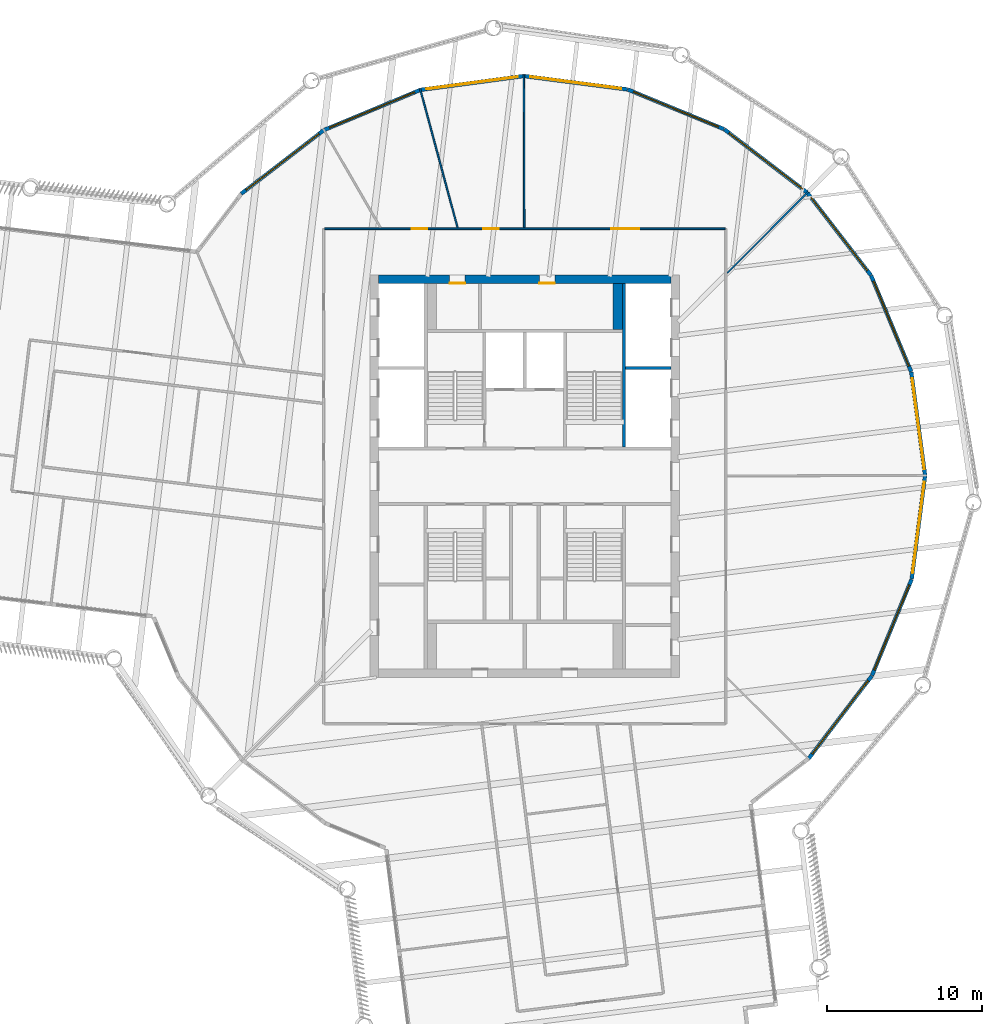
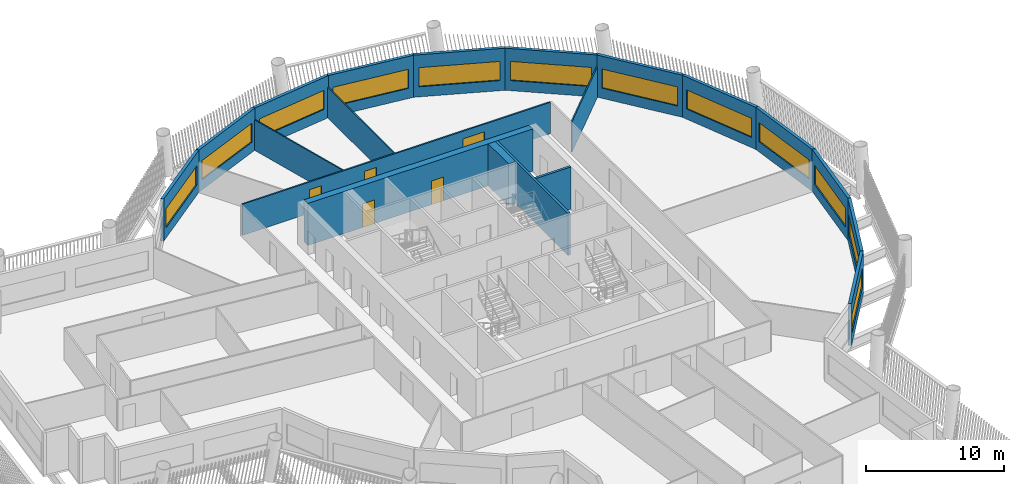
# One storey, part 6 of 14: 20 walls, 12 windows, 5 doors, 17 openings.
"""IFC4 building model written with IfcOpenShell, lengths in metres."""

import ifcopenshell
import ifcopenshell.guid

model = None  # the IFC model being written
_history = None  # IfcOwnerHistory: only IFC2X3 demands one
_inside = {}  # id of a spatial element -> (the spatial element, [elements in it])
_under = {}  # id of a project, library or spatial element -> (it, [spatial elements below it])
_declared = {}  # id of a project -> (the project, [libraries it declares])
_typed = {}  # id of a type object -> (the type object, [elements of that type])
_made_of = {}  # id of a material, layer set ... -> (it, [elements and type objects made of it])


def new_model(schema):
    """Start an empty IFC model of exactly this schema.

    Asked for "IFC4X3", IfcOpenShell would pick the latest addendum, in which some entities
    have other attributes; the version numbers below select the first issue.
    IFC2X3 requires an IfcOwnerHistory on every rooted entity: one is made here for all.
    """
    global model, _history
    if schema == "IFC4X3":
        model = ifcopenshell.file(schema_version=(4, 3, 0, 0))
    else:
        model = ifcopenshell.file(schema=schema)
    _inside.clear()
    _under.clear()
    _declared.clear()
    _typed.clear()
    _made_of.clear()
    _history = None
    if model.schema == "IFC2X3":
        org = make("IfcOrganization", Name="unknown")
        user = make(
            "IfcPersonAndOrganization",
            ThePerson=make("IfcPerson", FamilyName="unknown"),
            TheOrganization=org,
        )
        app = make(
            "IfcApplication",
            ApplicationDeveloper=org,
            Version="unknown",
            ApplicationFullName="unknown",
            ApplicationIdentifier="unknown",
        )
        _history = make(
            "IfcOwnerHistory",
            OwningUser=user,
            OwningApplication=app,
            ChangeAction="ADDED",
            CreationDate=0,
        )
    return model


def make(cls, **values):
    """One entity of the class cls with the attributes given. An attribute that is None is left unset."""
    return model.create_entity(
        cls, **{name: value for name, value in values.items() if value is not None}
    )


def rooted(cls, **values):
    """An entity with a GlobalId (a new one), such as an element, a storey or a relation."""
    return make(cls, GlobalId=ifcopenshell.guid.new(), OwnerHistory=_history, **values)


def si_unit(unit_type, name, prefix=None):
    """IfcSIUnit, for example si_unit("LENGTHUNIT", "METRE", prefix="MILLI")."""
    return make("IfcSIUnit", UnitType=unit_type, Prefix=prefix, Name=name)


def assignment(units):
    """IfcUnitAssignment: the units of a project."""
    return None if units is None else make("IfcUnitAssignment", Units=units)


def point(xyz):
    """IfcCartesianPoint."""
    return None if xyz is None else make("IfcCartesianPoint", Coordinates=xyz)


def direction(xyz):
    """IfcDirection."""
    return None if xyz is None else make("IfcDirection", DirectionRatios=xyz)


def frame(location, z_axis=None, x_axis=None):
    """IfcAxis2Placement3D, a coordinate frame: its origin and axes. An axis left out is left unset."""
    return make(
        "IfcAxis2Placement3D",
        Location=point(location),
        Axis=direction(z_axis),
        RefDirection=direction(x_axis),
    )


def frame_2d(location, x_axis=None):
    """IfcAxis2Placement2D, a coordinate frame in the plane: its origin and x axis."""
    return make(
        "IfcAxis2Placement2D", Location=point(location), RefDirection=direction(x_axis)
    )


def origin():
    """The frame at (0, 0, 0) with its axes left unset."""
    return frame((0.0, 0.0, 0.0))


def place(relative_to, where):
    """IfcLocalPlacement: puts the frame where relative to a parent placement (None: the world)."""
    return make(
        "IfcLocalPlacement", PlacementRelTo=relative_to, RelativePlacement=where
    )


def context(
    kind, dimensions, precision=None, world=None, true_north=None, identifier=None
):
    """IfcGeometricRepresentationContext, for example the 3D "Model" context."""
    return make(
        "IfcGeometricRepresentationContext",
        ContextIdentifier=identifier,
        ContextType=kind,
        CoordinateSpaceDimension=dimensions,
        Precision=precision,
        WorldCoordinateSystem=world,
        TrueNorth=true_north,
    )


def subcontext(parent, identifier, kind, view, scale=None):
    """IfcGeometricRepresentationSubContext, for example "Body" below "Model"."""
    return make(
        "IfcGeometricRepresentationSubContext",
        ContextIdentifier=identifier,
        ContextType=kind,
        ParentContext=parent,
        TargetScale=scale,
        TargetView=view,
    )


def project(units=None, contexts=None):
    """IfcProject with its units and contexts."""
    return rooted(
        "IfcProject",
        Name="project",
        RepresentationContexts=contexts,
        UnitsInContext=assignment(units),
    )


def spatial(cls, under=None, at=None, **own):
    """A site, building, storey or space (cls), placed at a placement, below another one or the project."""
    s = rooted(cls, ObjectPlacement=at, **own)
    if under is not None:
        _under.setdefault(under.id(), (under, []))[1].append(s)
    return s


def profile(cls, at=None, kind="AREA", **sizes):
    """A parametric profile (cls). Its sizes go by their IFC names, for example OverallWidth=200.0."""
    return make(cls, ProfileType=kind, Position=at, **sizes)


def rectangle(**sizes):
    """IfcRectangleProfileDef."""
    return profile("IfcRectangleProfileDef", **sizes)


def extrude(swept, where, along, depth):
    """IfcExtrudedAreaSolid: the profile swept, set in the frame where, extruded along a direction by depth."""
    return make(
        "IfcExtrudedAreaSolid",
        SweptArea=swept,
        Position=where,
        ExtrudedDirection=direction(along),
        Depth=depth,
    )


def shape(context_of_items, identifier, shape_type, items):
    """IfcShapeRepresentation: the items that make up one representation, for example the "Body"."""
    return make(
        "IfcShapeRepresentation",
        ContextOfItems=context_of_items,
        RepresentationIdentifier=identifier,
        RepresentationType=shape_type,
        Items=items,
    )


def material(Name=None, Category=None):
    """IfcMaterial."""
    return make("IfcMaterial", Name=Name, Category=Category)


def layer(
    of_material, thickness, ventilated=None, Name=None, Category=None, Priority=None
):
    """IfcMaterialLayer: one layer of a wall or slab, of a material (None: an air gap)."""
    return make(
        "IfcMaterialLayer",
        Material=of_material,
        LayerThickness=thickness,
        IsVentilated=ventilated,
        Name=Name,
        Category=Category,
        Priority=Priority,
    )


def layer_set(layers, Name=None):
    """IfcMaterialLayerSet."""
    return make("IfcMaterialLayerSet", MaterialLayers=layers, LayerSetName=Name)


def made_of(thing, what):
    """Note that an element or type object is made of a material, layer set ...; save() writes the relation."""
    if what is not None:
        _made_of.setdefault(what.id(), (what, []))[1].append(thing)
    return thing


def type_object(cls, material=None, **own):
    """A type object (cls), such as IfcWallType, which elements share."""
    return made_of(rooted(cls, **own), material)


def element(
    cls,
    number,
    at=None,
    inside=None,
    cuts=None,
    type_object=None,
    material=None,
    context=None,
    identifier="Body",
    shape_type=None,
    held_by="IfcProductDefinitionShape",
    body=None,
    shapes=None,
    **own,
):
    """One element of the class cls, such as IfcWall. Its Tag is "e" and its number.

    at: its placement. inside: the storey or other place that contains it. cuts: it is an
    opening in that element (IfcRelVoidsElement). A single representation is given by context,
    identifier, shape_type and body (its items); several are given by shapes. held_by: the class
    of the entity that holds the representations. save() writes the other relations.
    """
    e = rooted(cls, Tag="e%d" % number, ObjectPlacement=at, **own)
    if body is not None:
        shapes = [shape(context, identifier, shape_type, body)]
    if shapes is not None:
        e.Representation = make(held_by, Representations=shapes)
    if inside is not None:
        _inside.setdefault(inside.id(), (inside, []))[1].append(e)
    if cuts is not None:
        rooted(
            "IfcRelVoidsElement", RelatingBuildingElement=cuts, RelatedOpeningElement=e
        )
    if type_object is not None:
        _typed.setdefault(type_object.id(), (type_object, []))[1].append(e)
    return made_of(e, material)


def fill(opening, filler):
    """IfcRelFillsElement: the door or window that sits in an opening."""
    return rooted(
        "IfcRelFillsElement",
        RelatingOpeningElement=opening,
        RelatedBuildingElement=filler,
    )


def aggregate(whole, parts):
    """IfcRelAggregates: a whole, such as a stair, and the parts it consists of."""
    return rooted("IfcRelAggregates", RelatingObject=whole, RelatedObjects=parts)


def save(model, path):
    """Write the relations noted so far, then the file.

    IfcRelAggregates (storeys below a building ...), IfcRelContainedInSpatialStructure (elements
    in a storey), IfcRelDefinesByType, IfcRelAssociatesMaterial and IfcRelDeclares: one each for
    every whole, place, type object, material and project.
    """
    for whole, parts in _under.values():
        aggregate(whole, parts)
    for where, things in _inside.values():
        rooted(
            "IfcRelContainedInSpatialStructure",
            RelatedElements=things,
            RelatingStructure=where,
        )
    for kind, things in _typed.values():
        rooted("IfcRelDefinesByType", RelatedObjects=things, RelatingType=kind)
    for what, things in _made_of.values():
        rooted("IfcRelAssociatesMaterial", RelatedObjects=things, RelatingMaterial=what)
    for by, libraries in _declared.values():
        rooted("IfcRelDeclares", RelatingContext=by, RelatedDefinitions=libraries)
    model.write(path)


model = new_model("IFC4")

# Units and contexts
model_context = context("Model", 3, precision=1e-05, world=origin(), true_north=direction((0.0, 1.0)))
body_context = subcontext(model_context, "Body", "Model", "MODEL_VIEW")
ifc_project = project(units=[si_unit("LENGTHUNIT", "METRE"), si_unit("AREAUNIT", "SQUARE_METRE"), si_unit("VOLUMEUNIT", "CUBIC_METRE"), si_unit("PLANEANGLEUNIT", "RADIAN"), si_unit("MASSUNIT", "GRAM", prefix="KILO")], contexts=[model_context])

# Site, building, storey
site_placement = place(None, origin())
site = spatial("IfcSite", under=ifc_project, at=site_placement, CompositionType="ELEMENT")
building_placement = place(site_placement, origin())
building = spatial("IfcBuilding", under=site, at=building_placement, Name="Tarsis Ring Headquarters", CompositionType="ELEMENT")
storey_placement = place(building_placement, frame((0.0, 0.0, 259.10009765625)))
storey = spatial("IfcBuildingStorey", under=building, at=storey_placement, Name="L60", CompositionType="ELEMENT", Elevation=259.10009765625)

# Wall, openings, doors
ifc_material_1 = material(Name="Concrete C50/60", Category="concrete")
ifc_layer_1 = layer(ifc_material_1, 0.550048828125)
ifc_layer_set_1 = layer_set([ifc_layer_1], Name="Core wall 550 C50/60")
wall_type_1 = type_object("IfcWallType", Name="Core wall 550 C50/60", PredefinedType="SHEAR", material=ifc_layer_set_1)
wall_1_placement = place(storey_placement, frame((-9.449951171875, 12.72509765625, 0.0), z_axis=(0.0, 0.0, 1.0), x_axis=(1.0, 0.0, 0.0)))
wall_1 = element("IfcWall", 1, at=wall_1_placement, inside=storey, type_object=wall_type_1, Name="Core wall ON", PredefinedType="SHEAR", context=body_context, shape_type="SweptSolid", body=[
    extrude(rectangle(XDim=18.89990234375, YDim=0.550048828125, at=frame_2d((9.449951171875, 0.0))), origin(), (0.0, 0.0, 1.0), 3.739990234375),
])
opening_1_placement = place(wall_1_placement, frame((4.60009765625, 0.0, 0.0)))
opening_1 = element("IfcOpeningElement", 2, at=opening_1_placement, cuts=wall_1, Name="Opening L60-C16", PredefinedType="OPENING", context=body_context, shape_type="SweptSolid", body=[
    extrude(rectangle(XDim=1.0, YDim=2.10009765625, at=frame_2d((0.5, 1.050048828125))), frame((0.0, 0.284912109375, 0.0), z_axis=(0.0, -1.0, 0.0), x_axis=(1.0, 0.0, 0.0)), (0.0, 0.0, 1.0), 0.570068359375),
])
opening_2_placement = place(wall_1_placement, frame((10.39990234375, 0.0, 0.0)))
opening_2 = element("IfcOpeningElement", 3, at=opening_2_placement, cuts=wall_1, Name="Opening L60-C17", PredefinedType="OPENING", context=body_context, shape_type="SweptSolid", body=[
    extrude(rectangle(XDim=1.0, YDim=2.10009765625, at=frame_2d((0.5, 1.050048828125))), frame((0.0, 0.284912109375, 0.0), z_axis=(0.0, -1.0, 0.0), x_axis=(1.0, 0.0, 0.0)), (0.0, 0.0, 1.0), 0.570068359375),
])
ifc_material_2 = material(Name="Steel S355", Category="steel")
door_type_1 = type_object("IfcDoorType", Name="Core room door 1000x2100", OperationType="SINGLE_SWING_LEFT", PredefinedType="DOOR", material=ifc_material_2)
door_1_placement = place(opening_1_placement, origin())
door_1 = element("IfcDoor", 4, at=door_1_placement, inside=storey, type_object=door_type_1, Name="Core room door L60", OperationType="SINGLE_SWING_LEFT", OverallHeight=2.10009765625, OverallWidth=1.0, PredefinedType="DOOR", context=body_context, shape_type="SweptSolid", body=[
    extrude(rectangle(XDim=1.0, YDim=2.10009765625, at=frame_2d((0.5, 1.050048828125))), frame((0.0, -0.22509765625, 0.0), z_axis=(0.0, -1.0, 0.0), x_axis=(1.0, 0.0, 0.0)), (0.0, 0.0, 1.0), 0.050048828125),
])
fill(opening_1, door_1)
door_2_placement = place(opening_2_placement, origin())
door_2 = element("IfcDoor", 5, at=door_2_placement, inside=storey, type_object=door_type_1, Name="Core room door L60", OperationType="SINGLE_SWING_LEFT", OverallHeight=2.10009765625, OverallWidth=1.0, PredefinedType="DOOR", context=body_context, shape_type="SweptSolid", body=[
    extrude(rectangle(XDim=1.0, YDim=2.10009765625, at=frame_2d((0.5, 1.050048828125))), frame((0.0, -0.22509765625, 0.0), z_axis=(0.0, -1.0, 0.0), x_axis=(1.0, 0.0, 0.0)), (0.0, 0.0, 1.0), 0.050048828125),
])
fill(opening_2, door_2)

# Walls
ifc_material_3 = material(Name="Gypsum board on steel studs", Category="steel")
ifc_layer_2 = layer(ifc_material_3, 0.10009765625)
ifc_layer_set_2 = layer_set([ifc_layer_2], Name="FL partition 100 unrated")
wall_type_2 = type_object("IfcWallType", Name="FL partition 100 unrated", PredefinedType="PARTITIONING", material=ifc_layer_set_2)
wall_2_placement = place(storey_placement, frame((-0.05419921875, 25.94775390625, 0.0), z_axis=(0.0, 0.0, 1.0), x_axis=(0.002076171407, -0.999997844754, 0.0)))
element("IfcWall", 6, at=wall_2_placement, inside=storey, type_object=wall_type_2, Name="Partition PW3", PredefinedType="PARTITIONING", context=body_context, shape_type="SweptSolid", body=[
    extrude(rectangle(XDim=9.877685546875, YDim=0.10009765625, at=frame_2d((4.93896484375, 0.0))), origin(), (0.0, 0.0, 1.0), 2.699951171875),
])
wall_3_placement = place(storey_placement, frame((-6.768310546875, 25.049560546875, 0.0), z_axis=(0.0, 0.0, 1.0), x_axis=(0.26085416852, -0.96537821747, 0.0)))
element("IfcWall", 7, at=wall_3_placement, inside=storey, type_object=wall_type_2, Name="Partition PW3", PredefinedType="PARTITIONING", context=body_context, shape_type="SweptSolid", body=[
    extrude(rectangle(XDim=9.303955078125, YDim=0.10009765625, at=frame_2d((4.65185546875, 0.0))), origin(), (0.0, 0.0, 1.0), 2.699951171875),
])
wall_4_placement = place(storey_placement, frame((13.084716796875, 13.1396484375, 0.0), z_axis=(0.0, 0.0, 1.0), x_axis=(0.705621441005, 0.708589007813, 0.0)))
element("IfcWall", 8, at=wall_4_placement, inside=storey, type_object=wall_type_2, Name="Partition PW3", PredefinedType="PARTITIONING", context=body_context, shape_type="SweptSolid", body=[
    extrude(rectangle(XDim=7.404296875, YDim=0.10009765625, at=frame_2d((3.7021484375, 0.0))), origin(), (0.0, 0.0, 1.0), 2.699951171875),
])

# Wall, openings, doors
ifc_layer_3 = layer(ifc_material_3, 0.125)
ifc_layer_set_3 = layer_set([ifc_layer_3], Name="FL partition 125 EI 60 H2770")
wall_type_3 = type_object("IfcWallType", Name="FL partition 125 EI 60 H2770", PredefinedType="PARTITIONING", material=ifc_layer_set_3)
wall_5_placement = place(storey_placement, frame((-12.93994140625, 16.0, 0.0), z_axis=(0.0, 0.0, 1.0), x_axis=(1.0, 0.0, 0.0)))
wall_5 = element("IfcWall", 9, at=wall_5_placement, inside=storey, type_object=wall_type_3, Name="Partition PW1", PredefinedType="PARTITIONING", context=body_context, shape_type="SweptSolid", body=[
    extrude(rectangle(XDim=25.8798828125, YDim=0.125, at=frame_2d((12.93994140625, 0.0))), origin(), (0.0, 0.0, 1.0), 2.77001953125),
])
opening_3_placement = place(wall_5_placement, frame((5.63720703125, 0.0, 0.0)))
opening_3 = element("IfcOpeningElement", 10, at=opening_3_placement, cuts=wall_5, Name="Opening D60.04", PredefinedType="OPENING", context=body_context, shape_type="SweptSolid", body=[
    extrude(rectangle(XDim=1.0, YDim=2.10009765625, at=frame_2d((0.5, 1.050048828125))), frame((0.0, 0.072509765625, 0.0), z_axis=(0.0, -1.0, 0.0), x_axis=(1.0, 0.0, 0.0)), (0.0, 0.0, 1.0), 0.14501953125),
])
opening_4_placement = place(wall_5_placement, frame((10.26171875, 0.0, 0.0)))
opening_4 = element("IfcOpeningElement", 11, at=opening_4_placement, cuts=wall_5, Name="Opening D60.05", PredefinedType="OPENING", context=body_context, shape_type="SweptSolid", body=[
    extrude(rectangle(XDim=1.0, YDim=2.10009765625, at=frame_2d((0.5, 1.050048828125))), frame((0.0, 0.072509765625, 0.0), z_axis=(0.0, -1.0, 0.0), x_axis=(1.0, 0.0, 0.0)), (0.0, 0.0, 1.0), 0.14501953125),
])
opening_5_placement = place(wall_5_placement, frame((18.523193359375, 0.0, 0.0)))
opening_5 = element("IfcOpeningElement", 12, at=opening_5_placement, cuts=wall_5, Name="Opening D60.06", PredefinedType="OPENING", context=body_context, shape_type="SweptSolid", body=[
    extrude(rectangle(XDim=1.800048828125, YDim=2.10009765625, at=frame_2d((0.89990234375, 1.050048828125))), frame((0.0, 0.072509765625, 0.0), z_axis=(0.0, -1.0, 0.0), x_axis=(1.0, 0.0, 0.0)), (0.0, 0.0, 1.0), 0.14501953125),
])
ifc_material_4 = material(Name="Fire-rated timber door leaf in steel frame", Category="steel")
door_type_2 = type_object("IfcDoorType", Name="FL door FD60-1000", OperationType="NOTDEFINED", PredefinedType="DOOR", material=ifc_material_4)
door_3_placement = place(opening_3_placement, origin())
door_3 = element("IfcDoor", 13, at=door_3_placement, inside=storey, type_object=door_type_2, Name="Door D60.04", OperationType="SINGLE_SWING_RIGHT", OverallHeight=2.10009765625, OverallWidth=1.0, PredefinedType="DOOR", context=body_context, shape_type="SweptSolid", body=[
    extrude(rectangle(XDim=1.0, YDim=2.10009765625, at=frame_2d((0.5, 1.050048828125))), frame((0.0, 0.02490234375, 0.0), z_axis=(0.0, -1.0, 0.0), x_axis=(1.0, 0.0, 0.0)), (0.0, 0.0, 1.0), 0.050048828125),
])
fill(opening_3, door_3)
door_4_placement = place(opening_4_placement, origin())
door_4 = element("IfcDoor", 14, at=door_4_placement, inside=storey, type_object=door_type_2, Name="Door D60.05", OperationType="SINGLE_SWING_LEFT", OverallHeight=2.10009765625, OverallWidth=1.0, PredefinedType="DOOR", context=body_context, shape_type="SweptSolid", body=[
    extrude(rectangle(XDim=1.0, YDim=2.10009765625, at=frame_2d((0.5, 1.050048828125))), frame((0.0, 0.02490234375, 0.0), z_axis=(0.0, -1.0, 0.0), x_axis=(1.0, 0.0, 0.0)), (0.0, 0.0, 1.0), 0.050048828125),
])
fill(opening_4, door_4)
door_type_3 = type_object("IfcDoorType", Name="FL door FD60-1800", OperationType="DOUBLE_DOOR_SINGLE_SWING", PredefinedType="DOOR", material=ifc_material_4)
door_5_placement = place(opening_5_placement, origin())
door_5 = element("IfcDoor", 15, at=door_5_placement, inside=storey, type_object=door_type_3, Name="Door D60.06", OperationType="DOUBLE_DOOR_SINGLE_SWING", OverallHeight=2.10009765625, OverallWidth=1.800048828125, PredefinedType="DOOR", context=body_context, shape_type="SweptSolid", body=[
    extrude(rectangle(XDim=1.800048828125, YDim=2.10009765625, at=frame_2d((0.89990234375, 1.050048828125))), frame((0.0, 0.02490234375, 0.0), z_axis=(0.0, -1.0, 0.0), x_axis=(1.0, 0.0, 0.0)), (0.0, 0.0, 1.0), 0.050048828125),
])
fill(opening_5, door_5)

# Wall, opening, window
ifc_material_5 = material(Name="Terracotta clad insulated panel wall", Category="masonry")
ifc_layer_4 = layer(ifc_material_5, 0.25)
ifc_layer_set_4 = layer_set([ifc_layer_4], Name="Facade wall terracotta panel 250")
wall_type_4 = type_object("IfcWallType", Name="Facade wall terracotta panel 250", PredefinedType="STANDARD", material=ifc_layer_set_4)
wall_6_placement = place(storey_placement, frame((18.343994140625, -18.244140625, 0.0), z_axis=(0.0, 0.0, 1.0), x_axis=(0.60709546579, 0.794628904217, 0.0)))
wall_6 = element("IfcWall", 16, at=wall_6_placement, inside=storey, type_object=wall_type_4, Name="External wall L60-18", PredefinedType="STANDARD", context=body_context, shape_type="SweptSolid", body=[
    extrude(rectangle(XDim=6.721435546875, YDim=0.25, at=frame_2d((3.36083984375, 0.0))), origin(), (0.0, 0.0, 1.0), 3.739990234375),
])
opening_6_placement = place(wall_6_placement, frame((0.3857421875, 0.0, 0.89990234375)))
opening_6 = element("IfcOpeningElement", 17, at=opening_6_placement, cuts=wall_6, Name="Opening WN07", PredefinedType="OPENING", context=body_context, shape_type="SweptSolid", body=[
    extrude(rectangle(XDim=5.949951171875, YDim=1.699951171875, at=frame_2d((2.97509765625, 0.85009765625))), frame((0.0, 0.135009765625, 0.0), z_axis=(0.0, -1.0, 0.0), x_axis=(1.0, 0.0, 0.0)), (0.0, 0.0, 1.0), 0.27001953125),
])
ifc_material_6 = material(Name="Aluminium framed double glazing", Category="aluminium")
window_type = type_object("IfcWindowType", Name="Facade window 5950 x 1700", PartitioningType="SINGLE_PANEL", PredefinedType="WINDOW", material=ifc_material_6)
window_1_placement = place(opening_6_placement, origin())
window_1 = element("IfcWindow", 18, at=window_1_placement, inside=storey, type_object=window_type, Name="Window L60-18.1", OverallHeight=1.699951171875, OverallWidth=5.949951171875, PartitioningType="SINGLE_PANEL", PredefinedType="WINDOW", context=body_context, shape_type="SweptSolid", body=[
    extrude(rectangle(XDim=5.949951171875, YDim=1.699951171875, at=frame_2d((2.97509765625, 0.85009765625))), frame((0.0, 0.030029296875, 0.0), z_axis=(0.0, -1.0, 0.0), x_axis=(1.0, 0.0, 0.0)), (0.0, 0.0, 1.0), 0.06005859375),
])
fill(opening_6, window_1)

wall_7_placement = place(storey_placement, frame((22.440673828125, -12.874755859375, 0.0), z_axis=(0.0, 0.0, 1.0), x_axis=(0.380758939356, 0.924674337321, 0.0)))
wall_7 = element("IfcWall", 19, at=wall_7_placement, inside=storey, type_object=wall_type_4, Name="External wall L60-19", PredefinedType="STANDARD", context=body_context, shape_type="SweptSolid", body=[
    extrude(rectangle(XDim=6.7216796875, YDim=0.25, at=frame_2d((3.36083984375, 0.0))), origin(), (0.0, 0.0, 1.0), 3.739990234375),
])
opening_7_placement = place(wall_7_placement, frame((0.3857421875, 0.0, 0.89990234375)))
opening_7 = element("IfcOpeningElement", 20, at=opening_7_placement, cuts=wall_7, Name="Opening WN07", PredefinedType="OPENING", context=body_context, shape_type="SweptSolid", body=[
    extrude(rectangle(XDim=5.949951171875, YDim=1.699951171875, at=frame_2d((2.97509765625, 0.85009765625))), frame((0.0, 0.135009765625, 0.0), z_axis=(0.0, -1.0, 0.0), x_axis=(1.0, 0.0, 0.0)), (0.0, 0.0, 1.0), 0.27001953125),
])
window_2_placement = place(opening_7_placement, origin())
window_2 = element("IfcWindow", 21, at=window_2_placement, inside=storey, type_object=window_type, Name="Window L60-19.1", OverallHeight=1.699951171875, OverallWidth=5.949951171875, PartitioningType="SINGLE_PANEL", PredefinedType="WINDOW", context=body_context, shape_type="SweptSolid", body=[
    extrude(rectangle(XDim=5.949951171875, YDim=1.699951171875, at=frame_2d((2.97509765625, 0.85009765625))), frame((0.0, 0.030029296875, 0.0), z_axis=(0.0, -1.0, 0.0), x_axis=(1.0, 0.0, 0.0)), (0.0, 0.0, 1.0), 0.06005859375),
])
fill(opening_7, window_2)

wall_8_placement = place(storey_placement, frame((25.00830078125, -6.6279296875, 0.0), z_axis=(0.0, 0.0, 1.0), x_axis=(0.128472660922, 0.991713050935, 0.0)))
wall_8 = element("IfcWall", 22, at=wall_8_placement, inside=storey, type_object=wall_type_4, Name="External wall L60-20", PredefinedType="STANDARD", context=body_context, shape_type="SweptSolid", body=[
    extrude(rectangle(XDim=6.721435546875, YDim=0.25, at=frame_2d((3.36083984375, 0.0))), origin(), (0.0, 0.0, 1.0), 3.739990234375),
])
opening_8_placement = place(wall_8_placement, frame((0.3857421875, 0.0, 0.89990234375)))
opening_8 = element("IfcOpeningElement", 23, at=opening_8_placement, cuts=wall_8, Name="Opening WN07", PredefinedType="OPENING", context=body_context, shape_type="SweptSolid", body=[
    extrude(rectangle(XDim=5.949951171875, YDim=1.699951171875, at=frame_2d((2.97509765625, 0.85009765625))), frame((0.0, 0.135009765625, 0.0), z_axis=(0.0, -1.0, 0.0), x_axis=(1.0, 0.0, 0.0)), (0.0, 0.0, 1.0), 0.27001953125),
])
window_3_placement = place(opening_8_placement, origin())
window_3 = element("IfcWindow", 24, at=window_3_placement, inside=storey, type_object=window_type, Name="Window L60-20.1", OverallHeight=1.699951171875, OverallWidth=5.949951171875, PartitioningType="SINGLE_PANEL", PredefinedType="WINDOW", context=body_context, shape_type="SweptSolid", body=[
    extrude(rectangle(XDim=5.949951171875, YDim=1.699951171875, at=frame_2d((2.97509765625, 0.85009765625))), frame((0.0, 0.030029296875, 0.0), z_axis=(0.0, -1.0, 0.0), x_axis=(1.0, 0.0, 0.0)), (0.0, 0.0, 1.0), 0.06005859375),
])
fill(opening_8, window_3)

wall_9_placement = place(storey_placement, frame((25.87158203125, 0.070556640625, 0.0), z_axis=(0.0, 0.0, 1.0), x_axis=(-0.132577691666, 0.991172616486, 0.0)))
wall_9 = element("IfcWall", 25, at=wall_9_placement, inside=storey, type_object=wall_type_4, Name="External wall L60-21", PredefinedType="STANDARD", context=body_context, shape_type="SweptSolid", body=[
    extrude(rectangle(XDim=6.721435546875, YDim=0.25, at=frame_2d((3.36083984375, 0.0))), origin(), (0.0, 0.0, 1.0), 3.739990234375),
])
opening_9_placement = place(wall_9_placement, frame((0.3857421875, 0.0, 0.89990234375)))
opening_9 = element("IfcOpeningElement", 26, at=opening_9_placement, cuts=wall_9, Name="Opening WN07", PredefinedType="OPENING", context=body_context, shape_type="SweptSolid", body=[
    extrude(rectangle(XDim=5.949951171875, YDim=1.699951171875, at=frame_2d((2.97509765625, 0.85009765625))), frame((0.0, 0.135009765625, 0.0), z_axis=(0.0, -1.0, 0.0), x_axis=(1.0, 0.0, 0.0)), (0.0, 0.0, 1.0), 0.27001953125),
])
window_4_placement = place(opening_9_placement, origin())
window_4 = element("IfcWindow", 27, at=window_4_placement, inside=storey, type_object=window_type, Name="Window L60-21.1", OverallHeight=1.699951171875, OverallWidth=5.949951171875, PartitioningType="SINGLE_PANEL", PredefinedType="WINDOW", context=body_context, shape_type="SweptSolid", body=[
    extrude(rectangle(XDim=5.949951171875, YDim=1.699951171875, at=frame_2d((2.97509765625, 0.85009765625))), frame((0.0, 0.030029296875, 0.0), z_axis=(0.0, -1.0, 0.0), x_axis=(1.0, 0.0, 0.0)), (0.0, 0.0, 1.0), 0.06005859375),
])
fill(opening_9, window_4)

wall_10_placement = place(storey_placement, frame((24.971923828125, 6.76416015625, 0.0), z_axis=(0.0, 0.0, 1.0), x_axis=(-0.384610226502, 0.923079072274, 0.0)))
wall_10 = element("IfcWall", 28, at=wall_10_placement, inside=storey, type_object=wall_type_4, Name="External wall L60-22", PredefinedType="STANDARD", context=body_context, shape_type="SweptSolid", body=[
    extrude(rectangle(XDim=6.7216796875, YDim=0.25, at=frame_2d((3.36083984375, 0.0))), origin(), (0.0, 0.0, 1.0), 3.739990234375),
])
opening_10_placement = place(wall_10_placement, frame((0.3857421875, 0.0, 0.89990234375)))
opening_10 = element("IfcOpeningElement", 29, at=opening_10_placement, cuts=wall_10, Name="Opening WN07", PredefinedType="OPENING", context=body_context, shape_type="SweptSolid", body=[
    extrude(rectangle(XDim=5.949951171875, YDim=1.699951171875, at=frame_2d((2.97509765625, 0.85009765625))), frame((0.0, 0.135009765625, 0.0), z_axis=(0.0, -1.0, 0.0), x_axis=(1.0, 0.0, 0.0)), (0.0, 0.0, 1.0), 0.27001953125),
])
window_5_placement = place(opening_10_placement, origin())
window_5 = element("IfcWindow", 30, at=window_5_placement, inside=storey, type_object=window_type, Name="Window L60-22.1", OverallHeight=1.699951171875, OverallWidth=5.949951171875, PartitioningType="SINGLE_PANEL", PredefinedType="WINDOW", context=body_context, shape_type="SweptSolid", body=[
    extrude(rectangle(XDim=5.949951171875, YDim=1.699951171875, at=frame_2d((2.97509765625, 0.85009765625))), frame((0.0, 0.030029296875, 0.0), z_axis=(0.0, -1.0, 0.0), x_axis=(1.0, 0.0, 0.0)), (0.0, 0.0, 1.0), 0.06005859375),
])
fill(opening_10, window_5)

wall_11_placement = place(storey_placement, frame((22.370361328125, 12.996826171875, 0.0), z_axis=(0.0, 0.0, 1.0), x_axis=(-0.610426688997, 0.792072760143, 0.0)))
wall_11 = element("IfcWall", 31, at=wall_11_placement, inside=storey, type_object=wall_type_4, Name="External wall L60-23", PredefinedType="STANDARD", context=body_context, shape_type="SweptSolid", body=[
    extrude(rectangle(XDim=6.7216796875, YDim=0.25, at=frame_2d((3.36083984375, 0.0))), origin(), (0.0, 0.0, 1.0), 3.739990234375),
])
opening_11_placement = place(wall_11_placement, frame((0.3857421875, 0.0, 0.89990234375)))
opening_11 = element("IfcOpeningElement", 32, at=opening_11_placement, cuts=wall_11, Name="Opening WN07", PredefinedType="OPENING", context=body_context, shape_type="SweptSolid", body=[
    extrude(rectangle(XDim=5.949951171875, YDim=1.699951171875, at=frame_2d((2.97509765625, 0.85009765625))), frame((0.0, 0.135009765625, 0.0), z_axis=(0.0, -1.0, 0.0), x_axis=(1.0, 0.0, 0.0)), (0.0, 0.0, 1.0), 0.27001953125),
])
window_6_placement = place(opening_11_placement, origin())
window_6 = element("IfcWindow", 33, at=window_6_placement, inside=storey, type_object=window_type, Name="Window L60-23.1", OverallHeight=1.699951171875, OverallWidth=5.949951171875, PartitioningType="SINGLE_PANEL", PredefinedType="WINDOW", context=body_context, shape_type="SweptSolid", body=[
    extrude(rectangle(XDim=5.949951171875, YDim=1.699951171875, at=frame_2d((2.97509765625, 0.85009765625))), frame((0.0, 0.030029296875, 0.0), z_axis=(0.0, -1.0, 0.0), x_axis=(1.0, 0.0, 0.0)), (0.0, 0.0, 1.0), 0.06005859375),
])
fill(opening_11, window_6)

wall_12_placement = place(storey_placement, frame((18.244140625, 18.343994140625, 0.0), z_axis=(0.0, 0.0, 1.0), x_axis=(-0.794628904217, 0.60709546579, 0.0)))
wall_12 = element("IfcWall", 34, at=wall_12_placement, inside=storey, type_object=wall_type_4, Name="External wall L60-24", PredefinedType="STANDARD", context=body_context, shape_type="SweptSolid", body=[
    extrude(rectangle(XDim=6.721435546875, YDim=0.25, at=frame_2d((3.36083984375, 0.0))), origin(), (0.0, 0.0, 1.0), 3.739990234375),
])
opening_12_placement = place(wall_12_placement, frame((0.3857421875, 0.0, 0.89990234375)))
opening_12 = element("IfcOpeningElement", 35, at=opening_12_placement, cuts=wall_12, Name="Opening WN07", PredefinedType="OPENING", context=body_context, shape_type="SweptSolid", body=[
    extrude(rectangle(XDim=5.949951171875, YDim=1.699951171875, at=frame_2d((2.97509765625, 0.85009765625))), frame((0.0, 0.135009765625, 0.0), z_axis=(0.0, -1.0, 0.0), x_axis=(1.0, 0.0, 0.0)), (0.0, 0.0, 1.0), 0.27001953125),
])
window_7_placement = place(opening_12_placement, origin())
window_7 = element("IfcWindow", 36, at=window_7_placement, inside=storey, type_object=window_type, Name="Window L60-24.1", OverallHeight=1.699951171875, OverallWidth=5.949951171875, PartitioningType="SINGLE_PANEL", PredefinedType="WINDOW", context=body_context, shape_type="SweptSolid", body=[
    extrude(rectangle(XDim=5.949951171875, YDim=1.699951171875, at=frame_2d((2.97509765625, 0.85009765625))), frame((0.0, 0.030029296875, 0.0), z_axis=(0.0, -1.0, 0.0), x_axis=(1.0, 0.0, 0.0)), (0.0, 0.0, 1.0), 0.06005859375),
])
fill(opening_12, window_7)

wall_13_placement = place(storey_placement, frame((12.874755859375, 22.440673828125, 0.0), z_axis=(0.0, 0.0, 1.0), x_axis=(-0.924674337321, 0.380758939356, 0.0)))
wall_13 = element("IfcWall", 37, at=wall_13_placement, inside=storey, type_object=wall_type_4, Name="External wall L60-25", PredefinedType="STANDARD", context=body_context, shape_type="SweptSolid", body=[
    extrude(rectangle(XDim=6.7216796875, YDim=0.25, at=frame_2d((3.36083984375, 0.0))), origin(), (0.0, 0.0, 1.0), 3.739990234375),
])
opening_13_placement = place(wall_13_placement, frame((0.3857421875, 0.0, 0.89990234375)))
opening_13 = element("IfcOpeningElement", 38, at=opening_13_placement, cuts=wall_13, Name="Opening WN07", PredefinedType="OPENING", context=body_context, shape_type="SweptSolid", body=[
    extrude(rectangle(XDim=5.949951171875, YDim=1.699951171875, at=frame_2d((2.97509765625, 0.85009765625))), frame((0.0, 0.135009765625, 0.0), z_axis=(0.0, -1.0, 0.0), x_axis=(1.0, 0.0, 0.0)), (0.0, 0.0, 1.0), 0.27001953125),
])
window_8_placement = place(opening_13_placement, origin())
window_8 = element("IfcWindow", 39, at=window_8_placement, inside=storey, type_object=window_type, Name="Window L60-25.1", OverallHeight=1.699951171875, OverallWidth=5.949951171875, PartitioningType="SINGLE_PANEL", PredefinedType="WINDOW", context=body_context, shape_type="SweptSolid", body=[
    extrude(rectangle(XDim=5.949951171875, YDim=1.699951171875, at=frame_2d((2.97509765625, 0.85009765625))), frame((0.0, 0.030029296875, 0.0), z_axis=(0.0, -1.0, 0.0), x_axis=(1.0, 0.0, 0.0)), (0.0, 0.0, 1.0), 0.06005859375),
])
fill(opening_13, window_8)

wall_14_placement = place(storey_placement, frame((6.6279296875, 25.00830078125, 0.0), z_axis=(0.0, 0.0, 1.0), x_axis=(-0.991713050935, 0.128472660922, 0.0)))
wall_14 = element("IfcWall", 40, at=wall_14_placement, inside=storey, type_object=wall_type_4, Name="External wall L60-26", PredefinedType="STANDARD", context=body_context, shape_type="SweptSolid", body=[
    extrude(rectangle(XDim=6.721435546875, YDim=0.25, at=frame_2d((3.36083984375, 0.0))), origin(), (0.0, 0.0, 1.0), 3.739990234375),
])
opening_14_placement = place(wall_14_placement, frame((0.3857421875, 0.0, 0.89990234375)))
opening_14 = element("IfcOpeningElement", 41, at=opening_14_placement, cuts=wall_14, Name="Opening WN07", PredefinedType="OPENING", context=body_context, shape_type="SweptSolid", body=[
    extrude(rectangle(XDim=5.949951171875, YDim=1.699951171875, at=frame_2d((2.97509765625, 0.85009765625))), frame((0.0, 0.135009765625, 0.0), z_axis=(0.0, -1.0, 0.0), x_axis=(1.0, 0.0, 0.0)), (0.0, 0.0, 1.0), 0.27001953125),
])
window_9_placement = place(opening_14_placement, origin())
window_9 = element("IfcWindow", 42, at=window_9_placement, inside=storey, type_object=window_type, Name="Window L60-26.1", OverallHeight=1.699951171875, OverallWidth=5.949951171875, PartitioningType="SINGLE_PANEL", PredefinedType="WINDOW", context=body_context, shape_type="SweptSolid", body=[
    extrude(rectangle(XDim=5.949951171875, YDim=1.699951171875, at=frame_2d((2.97509765625, 0.85009765625))), frame((0.0, 0.030029296875, 0.0), z_axis=(0.0, -1.0, 0.0), x_axis=(1.0, 0.0, 0.0)), (0.0, 0.0, 1.0), 0.06005859375),
])
fill(opening_14, window_9)

wall_15_placement = place(storey_placement, frame((-0.070556640625, 25.87158203125, 0.0), z_axis=(0.0, 0.0, 1.0), x_axis=(-0.991172616486, -0.132577691666, 0.0)))
wall_15 = element("IfcWall", 43, at=wall_15_placement, inside=storey, type_object=wall_type_4, Name="External wall L60-27", PredefinedType="STANDARD", context=body_context, shape_type="SweptSolid", body=[
    extrude(rectangle(XDim=6.721435546875, YDim=0.25, at=frame_2d((3.36083984375, 0.0))), origin(), (0.0, 0.0, 1.0), 3.739990234375),
])
opening_15_placement = place(wall_15_placement, frame((0.3857421875, 0.0, 0.89990234375)))
opening_15 = element("IfcOpeningElement", 44, at=opening_15_placement, cuts=wall_15, Name="Opening WN07", PredefinedType="OPENING", context=body_context, shape_type="SweptSolid", body=[
    extrude(rectangle(XDim=5.949951171875, YDim=1.699951171875, at=frame_2d((2.97509765625, 0.85009765625))), frame((0.0, 0.135009765625, 0.0), z_axis=(0.0, -1.0, 0.0), x_axis=(1.0, 0.0, 0.0)), (0.0, 0.0, 1.0), 0.27001953125),
])
window_10_placement = place(opening_15_placement, origin())
window_10 = element("IfcWindow", 45, at=window_10_placement, inside=storey, type_object=window_type, Name="Window L60-27.1", OverallHeight=1.699951171875, OverallWidth=5.949951171875, PartitioningType="SINGLE_PANEL", PredefinedType="WINDOW", context=body_context, shape_type="SweptSolid", body=[
    extrude(rectangle(XDim=5.949951171875, YDim=1.699951171875, at=frame_2d((2.97509765625, 0.85009765625))), frame((0.0, 0.030029296875, 0.0), z_axis=(0.0, -1.0, 0.0), x_axis=(1.0, 0.0, 0.0)), (0.0, 0.0, 1.0), 0.06005859375),
])
fill(opening_15, window_10)

wall_16_placement = place(storey_placement, frame((-6.76416015625, 24.971923828125, 0.0), z_axis=(0.0, 0.0, 1.0), x_axis=(-0.923079072274, -0.384610226502, 0.0)))
wall_16 = element("IfcWall", 46, at=wall_16_placement, inside=storey, type_object=wall_type_4, Name="External wall L60-28", PredefinedType="STANDARD", context=body_context, shape_type="SweptSolid", body=[
    extrude(rectangle(XDim=6.7216796875, YDim=0.25, at=frame_2d((3.36083984375, 0.0))), origin(), (0.0, 0.0, 1.0), 3.739990234375),
])
opening_16_placement = place(wall_16_placement, frame((0.3857421875, 0.0, 0.89990234375)))
opening_16 = element("IfcOpeningElement", 47, at=opening_16_placement, cuts=wall_16, Name="Opening WN07", PredefinedType="OPENING", context=body_context, shape_type="SweptSolid", body=[
    extrude(rectangle(XDim=5.949951171875, YDim=1.699951171875, at=frame_2d((2.97509765625, 0.85009765625))), frame((0.0, 0.135009765625, 0.0), z_axis=(0.0, -1.0, 0.0), x_axis=(1.0, 0.0, 0.0)), (0.0, 0.0, 1.0), 0.27001953125),
])
window_11_placement = place(opening_16_placement, origin())
window_11 = element("IfcWindow", 48, at=window_11_placement, inside=storey, type_object=window_type, Name="Window L60-28.1", OverallHeight=1.699951171875, OverallWidth=5.949951171875, PartitioningType="SINGLE_PANEL", PredefinedType="WINDOW", context=body_context, shape_type="SweptSolid", body=[
    extrude(rectangle(XDim=5.949951171875, YDim=1.699951171875, at=frame_2d((2.97509765625, 0.85009765625))), frame((0.0, 0.030029296875, 0.0), z_axis=(0.0, -1.0, 0.0), x_axis=(1.0, 0.0, 0.0)), (0.0, 0.0, 1.0), 0.06005859375),
])
fill(opening_16, window_11)

wall_17_placement = place(storey_placement, frame((-12.996826171875, 22.370361328125, 0.0), z_axis=(0.0, 0.0, 1.0), x_axis=(-0.792072760143, -0.610426688997, 0.0)))
wall_17 = element("IfcWall", 49, at=wall_17_placement, inside=storey, type_object=wall_type_4, Name="External wall L60-29", PredefinedType="STANDARD", context=body_context, shape_type="SweptSolid", body=[
    extrude(rectangle(XDim=6.7216796875, YDim=0.25, at=frame_2d((3.36083984375, 0.0))), origin(), (0.0, 0.0, 1.0), 3.739990234375),
])
opening_17_placement = place(wall_17_placement, frame((0.3857421875, 0.0, 0.89990234375)))
opening_17 = element("IfcOpeningElement", 50, at=opening_17_placement, cuts=wall_17, Name="Opening WN07", PredefinedType="OPENING", context=body_context, shape_type="SweptSolid", body=[
    extrude(rectangle(XDim=5.949951171875, YDim=1.699951171875, at=frame_2d((2.97509765625, 0.85009765625))), frame((0.0, 0.135009765625, 0.0), z_axis=(0.0, -1.0, 0.0), x_axis=(1.0, 0.0, 0.0)), (0.0, 0.0, 1.0), 0.27001953125),
])
window_12_placement = place(opening_17_placement, origin())
window_12 = element("IfcWindow", 51, at=window_12_placement, inside=storey, type_object=window_type, Name="Window L60-29.1", OverallHeight=1.699951171875, OverallWidth=5.949951171875, PartitioningType="SINGLE_PANEL", PredefinedType="WINDOW", context=body_context, shape_type="SweptSolid", body=[
    extrude(rectangle(XDim=5.949951171875, YDim=1.699951171875, at=frame_2d((2.97509765625, 0.85009765625))), frame((0.0, 0.030029296875, 0.0), z_axis=(0.0, -1.0, 0.0), x_axis=(1.0, 0.0, 0.0)), (0.0, 0.0, 1.0), 0.06005859375),
])
fill(opening_17, window_12)

# Walls
ifc_material_7 = material(Name="Concrete C32/40", Category="concrete")
ifc_layer_5 = layer(ifc_material_7, 0.60009765625)
ifc_layer_set_5 = layer_set([ifc_layer_5], Name="Shaft end wall 600 C32/40")
wall_type_5 = type_object("IfcWallType", Name="Shaft end wall 600 C32/40", PredefinedType="SOLIDWALL", material=ifc_layer_set_5)
wall_18_placement = place(storey_placement, frame((6.0, 9.5, 0.0), z_axis=(0.0, 0.0, 1.0), x_axis=(0.0, 1.0, 0.0)))
element("IfcWall", 52, at=wall_18_placement, inside=storey, type_object=wall_type_5, Name="Core shaft wall NNE2", PredefinedType="SOLIDWALL", context=body_context, shape_type="SweptSolid", body=[
    extrude(rectangle(XDim=2.949951171875, YDim=0.60009765625, at=frame_2d((1.47509765625, 0.0))), origin(), (0.0, 0.0, 1.0), 3.739990234375),
])
ifc_layer_6 = layer(ifc_material_7, 0.199951171875)
ifc_layer_set_6 = layer_set([ifc_layer_6], Name="Shaft wall 200 C32/40")
wall_type_6 = type_object("IfcWallType", Name="Shaft wall 200 C32/40", PredefinedType="SOLIDWALL", material=ifc_layer_set_6)
wall_19_placement = place(storey_placement, frame((6.39990234375, 1.89990234375, 0.0), z_axis=(0.0, 0.0, 1.0), x_axis=(0.0, 1.0, 0.0)))
element("IfcWall", 53, at=wall_19_placement, inside=storey, type_object=wall_type_6, Name="Core shaft wall EB2", PredefinedType="SOLIDWALL", context=body_context, shape_type="SweptSolid", body=[
    extrude(rectangle(XDim=10.550048828125, YDim=0.199951171875, at=frame_2d((5.27490234375, 0.0))), origin(), (0.0, 0.0, 1.0), 3.739990234375),
])
wall_20_placement = place(storey_placement, frame((6.5, 7.0, 0.0), z_axis=(0.0, 0.0, 1.0), x_axis=(1.0, 0.0, 0.0)))
element("IfcWall", 54, at=wall_20_placement, inside=storey, type_object=wall_type_6, Name="Core shaft wall ED6", PredefinedType="SOLIDWALL", context=body_context, shape_type="SweptSolid", body=[
    extrude(rectangle(XDim=2.949951171875, YDim=0.199951171875, at=frame_2d((1.47509765625, 0.0))), origin(), (0.0, 0.0, 1.0), 3.739990234375),
])

save(model, "model.ifc")
